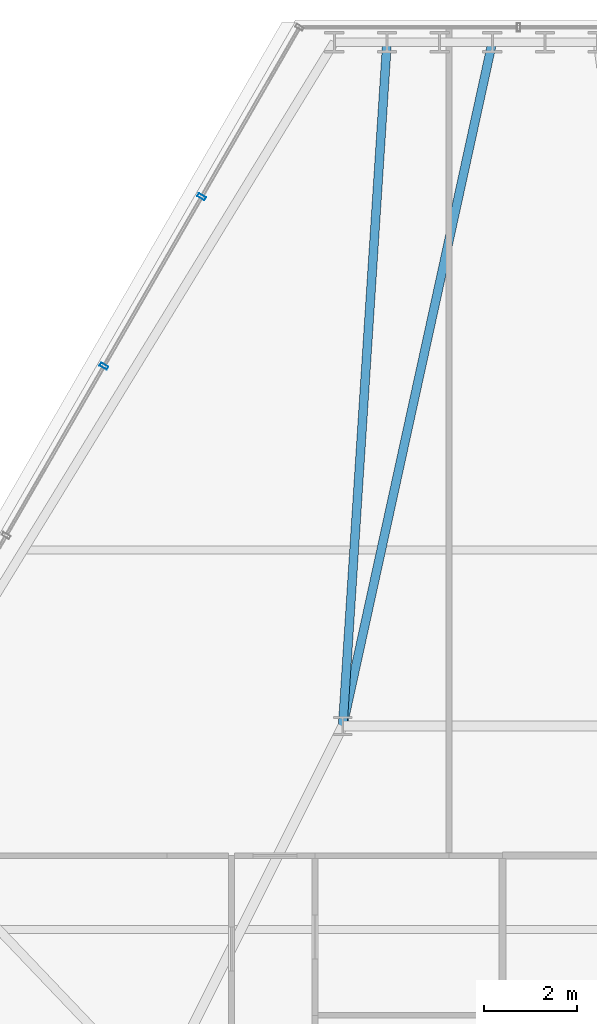
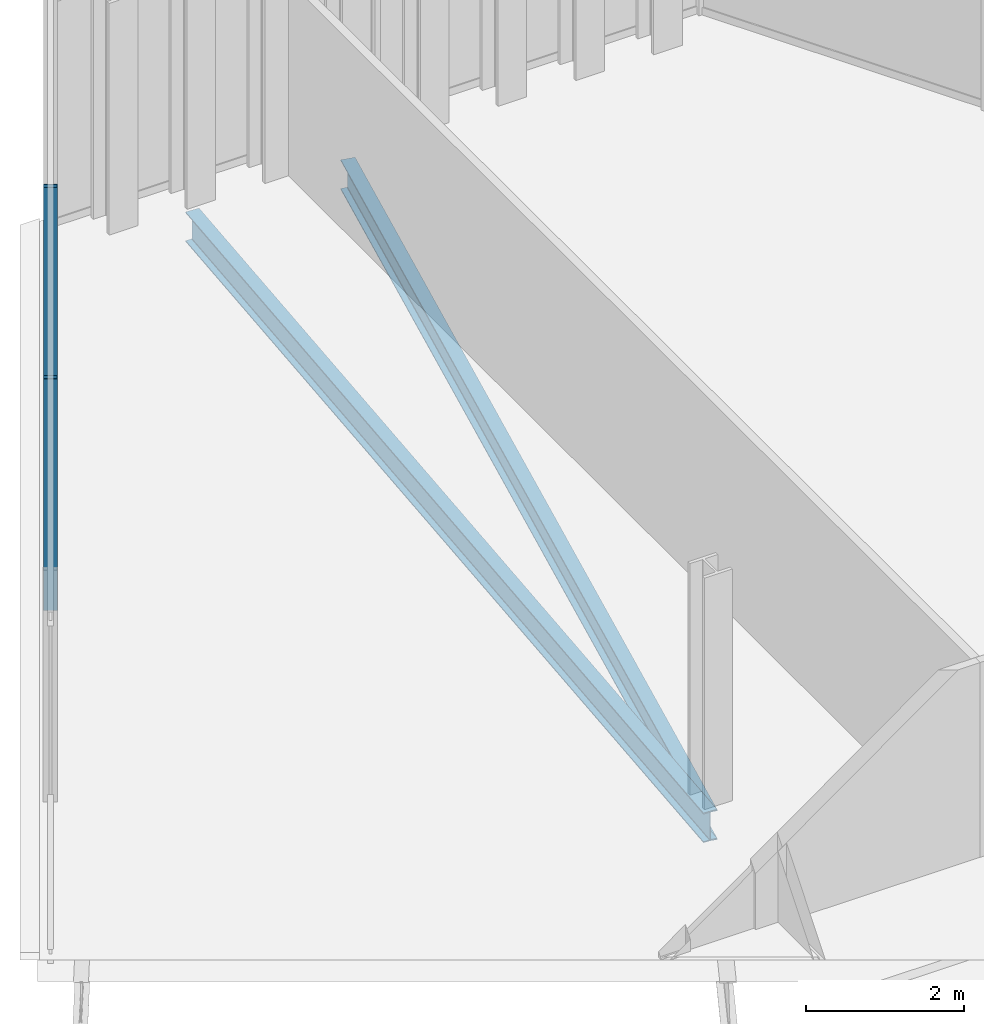
# One storey, part 21 of 33: 2 beams, 2 members, 1 element without a shape of its own.
"""IFC4 building model written with IfcOpenShell, lengths in metres."""

from ifc_helpers import new_model, si_unit, direction, frame, origin, origin_2d, place, context, subcontext, project, spatial, hollow_rectangle, i_section, extrude, material, layer, layer_set, material_profile, profile_set, type_object, element, aggregate, save


model = new_model("IFC4")

# Units and contexts
model_context = context("Model", 3, precision=1e-05, world=origin(), true_north=direction((0.0, 1.0)))
body_context = subcontext(model_context, "Body", "Model", "MODEL_VIEW")
ifc_project = project(units=[si_unit("LENGTHUNIT", "METRE"), si_unit("AREAUNIT", "SQUARE_METRE"), si_unit("VOLUMEUNIT", "CUBIC_METRE"), si_unit("PLANEANGLEUNIT", "RADIAN"), si_unit("MASSUNIT", "GRAM", prefix="KILO")], contexts=[model_context])

# Site, building, storey
site_placement = place(None, origin())
site = spatial("IfcSite", under=ifc_project, at=site_placement, CompositionType="ELEMENT")
building_placement = place(site_placement, origin())
building = spatial("IfcBuilding", under=site, at=building_placement, Name="Ndaravel Arena Tower", CompositionType="ELEMENT")
storey_placement = place(building_placement, frame((0.0, 0.0, 184.0)))
storey = spatial("IfcBuildingStorey", under=building, at=storey_placement, Name="L44", CompositionType="ELEMENT", Elevation=184.0)

# Beams
ifc_material_1 = material(Name="Steel S355", Category="steel")
ifc_material_profile_1 = material_profile(ifc_material_1, i_section(OverallWidth=0.19140625, OverallDepth=0.4599609375, WebThickness=0.010009765625, FlangeThickness=0.01611328125, FilletRadius=0.01025390625, at=origin_2d()), Name="UB 457x191x82")
ifc_profile_set_1 = profile_set([ifc_material_profile_1], Name="Steel S355")
beam_type = type_object("IfcBeamType", Name="BM-GIRD-UB457", PredefinedType="BEAM", material=ifc_profile_set_1)
beam_1_placement = place(storey_placement, frame((41.431396484375, 45.97265625, -0.449951171875), z_axis=(-0.21369158249, -0.97690117595, 0.0), x_axis=(0.97690117595, -0.21369158249, 0.0)))
element("IfcBeam", 1, at=beam_1_placement, inside=storey, type_object=beam_type, Name="L44 Radial Floor Girder FG-15", PredefinedType="BEAM", context=body_context, shape_type="SweptSolid", body=[
    extrude(i_section(OverallWidth=0.19140625, OverallDepth=0.4599609375, WebThickness=0.010009765625, FlangeThickness=0.01611328125, FilletRadius=0.01025390625, at=origin_2d()), origin(), (0.0, 0.0, 1.0), 15.1220703125),
])
beam_2_placement = place(storey_placement, frame((39.15673828125, 45.97265625, -0.449951171875), z_axis=(-0.064631808032, -0.997909178929, 0.0), x_axis=(0.997909178929, -0.064631808032, 0.0)))
element("IfcBeam", 2, at=beam_2_placement, inside=storey, type_object=beam_type, Name="L44 Radial Floor Girder FG-17", PredefinedType="BEAM", context=body_context, shape_type="SweptSolid", body=[
    extrude(i_section(OverallWidth=0.19140625, OverallDepth=0.4599609375, WebThickness=0.010009765625, FlangeThickness=0.01611328125, FilletRadius=0.01025390625, at=origin_2d()), origin(), (0.0, 0.0, 1.0), 14.8037109375),
])

# Curtain wall, members
ifc_material_2 = material(Name="Aluminium", Category="aluminium")
ifc_layer = layer(ifc_material_2, 0.179931640625)
ifc_layer_set = layer_set([ifc_layer], Name="Aluminium")
curtain_wall_type = type_object("IfcCurtainWallType", Name="CW-SYS-03", PredefinedType="NOTDEFINED", material=ifc_layer_set)
curtain_wall_placement = place(storey_placement, origin())
curtain_wall = element("IfcCurtainWall", 3, at=curtain_wall_placement, inside=storey, type_object=curtain_wall_type, Name="L44 Faceted Crystal Curtain Wall CW-L44-E05", PredefinedType="NOTDEFINED")
ifc_material_3 = material(Name="Aluminium", Category="aluminium")
ifc_material_profile_2 = material_profile(ifc_material_3, hollow_rectangle(XDim=0.074951171875, YDim=0.179931640625, WallThickness=0.00390625, at=origin_2d()), Name="CW MULLION 75x180x4")
ifc_profile_set_2 = profile_set([ifc_material_profile_2], Name="Aluminium")
member_type = type_object("IfcMemberType", Name="MEM-CW-MUL180", PredefinedType="MULLION", material=ifc_profile_set_2)
member_1_placement = place(storey_placement, frame((35.1533203125, 42.63330078125, 0.0), z_axis=(0.0, 0.0, 1.0), x_axis=(-0.5, -0.866025403784, 0.0)))
member_1 = element("IfcMember", 4, at=member_1_placement, type_object=member_type, Name="CW-L44-E05 Mullion 01", PredefinedType="MULLION", context=body_context, shape_type="SweptSolid", body=[
    extrude(hollow_rectangle(XDim=0.074951171875, YDim=0.179931640625, WallThickness=0.00390625, at=origin_2d()), origin(), (0.0, 0.0, 1.0), 3.580078125),
])
member_2_placement = place(storey_placement, frame((33.040771484375, 38.97412109375, 0.0), z_axis=(0.0, 0.0, 1.0), x_axis=(-0.5, -0.866025403784, 0.0)))
member_2 = element("IfcMember", 5, at=member_2_placement, type_object=member_type, Name="CW-L44-E05 Mullion 02", PredefinedType="MULLION", context=body_context, shape_type="SweptSolid", body=[
    extrude(hollow_rectangle(XDim=0.074951171875, YDim=0.179931640625, WallThickness=0.00390625, at=origin_2d()), origin(), (0.0, 0.0, 1.0), 3.580078125),
])
aggregate(curtain_wall, [member_1, member_2])

save(model, "model.ifc")
